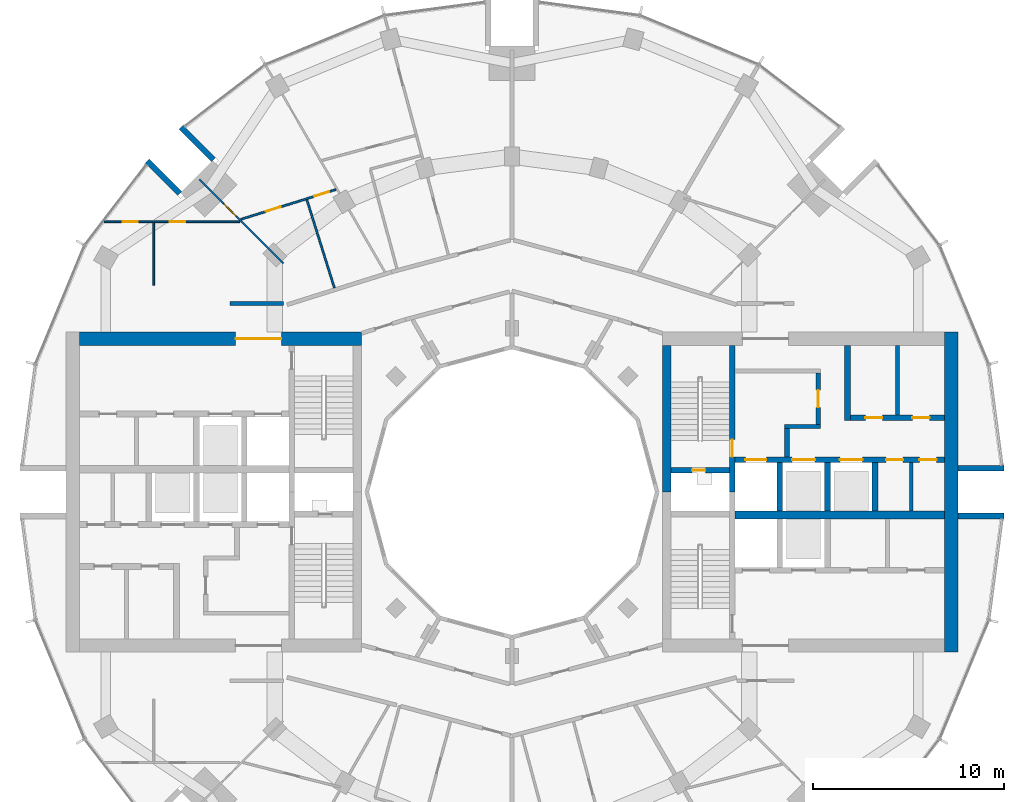
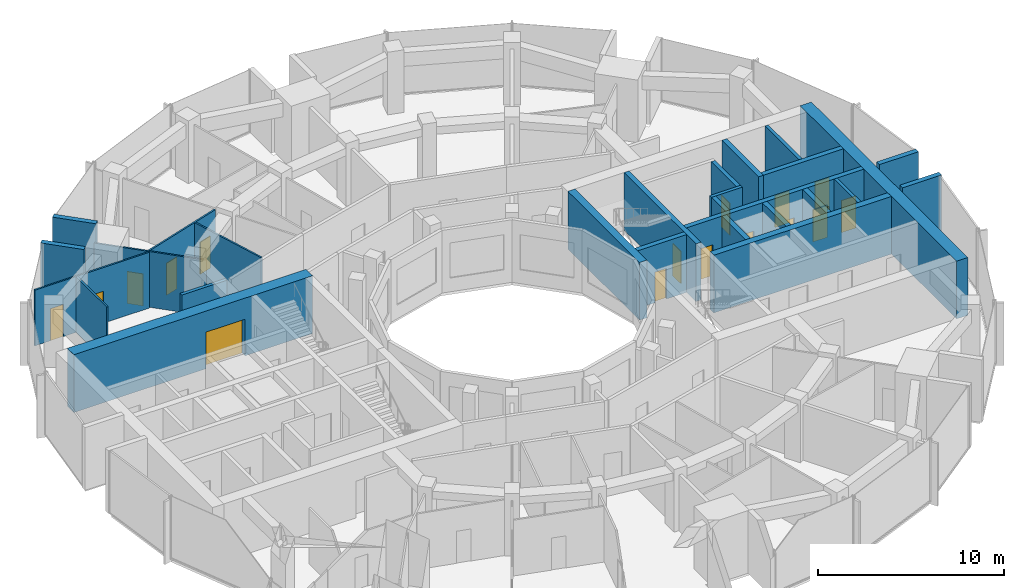
# One storey, part 11 of 15: 27 walls, 16 doors, 16 openings.
"""IFC4 building model written with IfcOpenShell, lengths in metres."""

from ifc_helpers import new_model, si_unit, direction, frame, frame_2d, origin, place, context, subcontext, project, spatial, rectangle, extrude, material, layer, layer_set, type_object, element, fill, save


model = new_model("IFC4")

# Units and contexts
model_context = context("Model", 3, precision=1e-05, world=origin(), true_north=direction((0.0, 1.0)))
body_context = subcontext(model_context, "Body", "Model", "MODEL_VIEW")
ifc_project = project(units=[si_unit("LENGTHUNIT", "METRE"), si_unit("AREAUNIT", "SQUARE_METRE"), si_unit("VOLUMEUNIT", "CUBIC_METRE"), si_unit("PLANEANGLEUNIT", "RADIAN"), si_unit("MASSUNIT", "GRAM", prefix="KILO")], contexts=[model_context])

# Site, building, storey
site_placement = place(None, origin())
site = spatial("IfcSite", under=ifc_project, at=site_placement, CompositionType="ELEMENT")
building_placement = place(site_placement, origin())
building = spatial("IfcBuilding", under=site, at=building_placement, Name="Torre Brocal", CompositionType="ELEMENT")
storey_placement = place(building_placement, frame((0.0, 0.0, 161.800048828125)))
storey = spatial("IfcBuildingStorey", under=building, at=storey_placement, Name="L37", CompositionType="ELEMENT", Elevation=161.800048828125)

# Walls
ifc_material_1 = material(Name="Masonry block", Category="masonry")
ifc_layer_1 = layer(ifc_material_1, 0.199951171875)
ifc_layer_set_1 = layer_set([ifc_layer_1], Name="Masonry block")
wall_type_1 = type_object("IfcWallType", Name="CORE PARTITION 200", PredefinedType="PARTITIONING", material=ifc_layer_set_1)
wall_1_placement = place(storey_placement, frame((100.949951171875, 74.0, 0.0), z_axis=(0.0, 0.0, 1.0), x_axis=(0.0, 1.0, 0.0)))
element("IfcWall", 1, at=wall_1_placement, inside=storey, type_object=wall_type_1, Name="Wall CP200", PredefinedType="PARTITIONING", context=body_context, shape_type="SweptSolid", body=[
    extrude(rectangle(XDim=2.550048828125, YDim=0.199951171875, at=frame_2d((1.27490234375, 0.0))), origin(), (0.0, 0.0, 1.0), 3.780029296875),
])
wall_2_placement = place(storey_placement, frame((100.22509765625, 79.050048828125, 0.0), z_axis=(0.0, 0.0, 1.0), x_axis=(0.0, 1.0, 0.0)))
element("IfcWall", 2, at=wall_2_placement, inside=storey, type_object=wall_type_1, Name="Wall CP200", PredefinedType="PARTITIONING", context=body_context, shape_type="SweptSolid", body=[
    extrude(rectangle(XDim=3.64990234375, YDim=0.199951171875, at=frame_2d((1.824951171875, 0.0))), origin(), (0.0, 0.0, 1.0), 3.780029296875),
])
ifc_material_2 = material(Name="Concrete C70", Category="concrete")
ifc_layer_2 = layer(ifc_material_2, 0.199951171875)
ifc_layer_set_2 = layer_set([ifc_layer_2], Name="Concrete C70")
wall_type_2 = type_object("IfcWallType", Name="CORE WALL 200 C70", PredefinedType="SHEAR", material=ifc_layer_set_2)
wall_3_placement = place(storey_placement, frame((94.300048828125, 78.449951171875, 0.0), z_axis=(0.0, 0.0, 1.0), x_axis=(1.0, 0.0, 0.0)))
element("IfcWall", 3, at=wall_3_placement, inside=storey, type_object=wall_type_2, Name="Wall CW200-70", PredefinedType="SHEAR", context=body_context, shape_type="SweptSolid", body=[
    extrude(rectangle(XDim=1.89990234375, YDim=0.199951171875, at=frame_2d((0.949951171875, 0.0))), origin(), (0.0, 0.0, 1.0), 3.780029296875),
])

# Wall, opening, door
ifc_material_3 = material(Name="Concrete C70", Category="concrete")
ifc_layer_3 = layer(ifc_material_3, 0.25)
ifc_layer_set_3 = layer_set([ifc_layer_3], Name="Concrete C70")
wall_type_3 = type_object("IfcWallType", Name="CORE WALL 250 C70", PredefinedType="SHEAR", material=ifc_layer_set_3)
wall_4_placement = place(storey_placement, frame((96.074951171875, 78.550048828125, 0.0), z_axis=(0.0, 0.0, 1.0), x_axis=(0.0, 1.0, 0.0)))
wall_4 = element("IfcWall", 4, at=wall_4_placement, inside=storey, type_object=wall_type_3, Name="Wall CW250-70", PredefinedType="SHEAR", context=body_context, shape_type="SweptSolid", body=[
    extrude(rectangle(XDim=2.699951171875, YDim=0.25, at=frame_2d((1.35009765625, 0.0))), origin(), (0.0, 0.0, 1.0), 3.780029296875),
])
opening_1_placement = place(wall_4_placement, frame((0.89990234375, 0.0, 0.0)))
opening_1 = element("IfcOpeningElement", 5, at=opening_1_placement, cuts=wall_4, Name="Opening E-D08", PredefinedType="OPENING", context=body_context, shape_type="SweptSolid", body=[
    extrude(rectangle(XDim=0.89990234375, YDim=2.10009765625, at=frame_2d((0.449951171875, 1.050048828125))), frame((0.0, 0.135009765625, 0.0), z_axis=(0.0, -1.0, 0.0), x_axis=(1.0, 0.0, 0.0)), (0.0, 0.0, 1.0), 0.27001953125),
])
ifc_material_4 = material(Name="Steel A653", Category="steel")
door_type_1 = type_object("IfcDoorType", Name="LOBBY DOOR FD120 900X2100", OperationType="SINGLE_SWING_RIGHT", PredefinedType="DOOR", material=ifc_material_4)
door_1_placement = place(opening_1_placement, origin())
door_1 = element("IfcDoor", 6, at=door_1_placement, inside=storey, type_object=door_type_1, Name="Door E-D08", OperationType="SINGLE_SWING_LEFT", OverallHeight=2.10009765625, OverallWidth=0.89990234375, PredefinedType="DOOR", context=body_context, shape_type="SweptSolid", body=[
    extrude(rectangle(XDim=0.89990234375, YDim=2.10009765625, at=frame_2d((0.449951171875, 1.050048828125))), frame((0.0, 0.02490234375, 0.0), z_axis=(0.0, -1.0, 0.0), x_axis=(1.0, 0.0, 0.0)), (0.0, 0.0, 1.0), 0.050048828125),
])
fill(opening_1, door_1)

# Wall
wall_5_placement = place(storey_placement, frame((94.425048828125, 76.85009765625, 0.0), z_axis=(0.0, 0.0, 1.0), x_axis=(0.0, 1.0, 0.0)))
element("IfcWall", 7, at=wall_5_placement, inside=storey, type_object=wall_type_3, Name="Wall CW250-70", PredefinedType="SHEAR", context=body_context, shape_type="SweptSolid", body=[
    extrude(rectangle(XDim=1.5, YDim=0.25, at=frame_2d((0.75, 0.0))), origin(), (0.0, 0.0, 1.0), 3.780029296875),
])

# Wall, opening, door
ifc_material_5 = material(Name="Concrete C70", Category="concrete")
ifc_layer_4 = layer(ifc_material_5, 0.300048828125)
ifc_layer_set_4 = layer_set([ifc_layer_4], Name="Concrete C70")
wall_type_4 = type_object("IfcWallType", Name="CORE WALL 300 C70", PredefinedType="SHEAR", material=ifc_layer_set_4)
wall_6_placement = place(storey_placement, frame((91.550048828125, 75.0, 0.0), z_axis=(0.0, 0.0, 1.0), x_axis=(0.0, 1.0, 0.0)))
wall_6 = element("IfcWall", 8, at=wall_6_placement, inside=storey, type_object=wall_type_4, Name="Wall CW300-70", PredefinedType="SHEAR", context=body_context, shape_type="SweptSolid", body=[
    extrude(rectangle(XDim=7.699951171875, YDim=0.300048828125, at=frame_2d((3.85009765625, 0.0))), origin(), (0.0, 0.0, 1.0), 3.780029296875),
])
opening_2_placement = place(wall_6_placement, frame((1.85009765625, 0.0, 0.0)))
opening_2 = element("IfcOpeningElement", 9, at=opening_2_placement, cuts=wall_6, Name="Opening E-D02", PredefinedType="OPENING", context=body_context, shape_type="SweptSolid", body=[
    extrude(rectangle(XDim=0.89990234375, YDim=2.10009765625, at=frame_2d((0.449951171875, 1.050048828125))), frame((0.0, 0.159912109375, 0.0), z_axis=(0.0, -1.0, 0.0), x_axis=(1.0, 0.0, 0.0)), (0.0, 0.0, 1.0), 0.320068359375),
])
ifc_material_6 = material(Name="Steel A653", Category="steel")
door_type_2 = type_object("IfcDoorType", Name="STAIR DOOR FD120 900X2100", OperationType="SINGLE_SWING_RIGHT", PredefinedType="DOOR", material=ifc_material_6)
door_2_placement = place(opening_2_placement, origin())
door_2 = element("IfcDoor", 10, at=door_2_placement, inside=storey, type_object=door_type_2, Name="Door E-D02", OperationType="SINGLE_SWING_LEFT", OverallHeight=2.10009765625, OverallWidth=0.89990234375, PredefinedType="DOOR", context=body_context, shape_type="SweptSolid", body=[
    extrude(rectangle(XDim=0.89990234375, YDim=2.10009765625, at=frame_2d((0.449951171875, 1.050048828125))), frame((0.0, 0.02490234375, 0.0), z_axis=(0.0, -1.0, 0.0), x_axis=(1.0, 0.0, 0.0)), (0.0, 0.0, 1.0), 0.050048828125),
])
fill(opening_2, door_2)

wall_7_placement = place(storey_placement, frame((88.35009765625, 76.14990234375, 0.0), z_axis=(0.0, 0.0, 1.0), x_axis=(1.0, 0.0, 0.0)))
wall_7 = element("IfcWall", 11, at=wall_7_placement, inside=storey, type_object=wall_type_4, Name="Wall CW300-70", PredefinedType="SHEAR", context=body_context, shape_type="SweptSolid", body=[
    extrude(rectangle(XDim=3.0498046875, YDim=0.300048828125, at=frame_2d((1.52490234375, 0.0))), origin(), (0.0, 0.0, 1.0), 3.780029296875),
])
opening_3_placement = place(wall_7_placement, frame((1.10009765625, 0.0, 0.0)))
opening_3 = element("IfcOpeningElement", 12, at=opening_3_placement, cuts=wall_7, Name="Opening E-D01", PredefinedType="OPENING", context=body_context, shape_type="SweptSolid", body=[
    extrude(rectangle(XDim=0.699951171875, YDim=2.0, at=frame_2d((0.35009765625, 1.0))), frame((0.0, 0.159912109375, 0.0), z_axis=(0.0, -1.0, 0.0), x_axis=(1.0, 0.0, 0.0)), (0.0, 0.0, 1.0), 0.320068359375),
])
ifc_material_7 = material(Name="Steel A653", Category="steel")
door_type_3 = type_object("IfcDoorType", Name="RISER DOOR FD120 700X2000", OperationType="SINGLE_SWING_LEFT", PredefinedType="DOOR", material=ifc_material_7)
door_3_placement = place(opening_3_placement, frame((0.699951171875, 0.0, 0.0), z_axis=(0.0, 0.0, 1.0), x_axis=(-1.0, 0.0, 0.0)))
door_3 = element("IfcDoor", 13, at=door_3_placement, inside=storey, type_object=door_type_3, Name="Door E-D01", OperationType="SINGLE_SWING_RIGHT", OverallHeight=2.0, OverallWidth=0.699951171875, PredefinedType="DOOR", context=body_context, shape_type="SweptSolid", body=[
    extrude(rectangle(XDim=0.699951171875, YDim=2.0, at=frame_2d((0.35009765625, 1.0))), frame((0.0, 0.02490234375, 0.0), z_axis=(0.0, -1.0, 0.0), x_axis=(1.0, 0.0, 0.0)), (0.0, 0.0, 1.0), 0.050048828125),
])
fill(opening_3, door_3)

# Wall, openings, doors
wall_8_placement = place(storey_placement, frame((91.699951171875, 76.699951171875, 0.0), z_axis=(0.0, 0.0, 1.0), x_axis=(1.0, 0.0, 0.0)))
wall_8 = element("IfcWall", 14, at=wall_8_placement, inside=storey, type_object=wall_type_4, Name="Wall CW300-70", PredefinedType="SHEAR", context=body_context, shape_type="SweptSolid", body=[
    extrude(rectangle(XDim=11.0, YDim=0.300048828125, at=frame_2d((5.5, 0.0))), origin(), (0.0, 0.0, 1.0), 3.780029296875),
])
opening_4_placement = place(wall_8_placement, frame((0.550048828125, 0.0, 0.0)))
opening_4 = element("IfcOpeningElement", 15, at=opening_4_placement, cuts=wall_8, Name="Opening LD", PredefinedType="OPENING", context=body_context, shape_type="SweptSolid", body=[
    extrude(rectangle(XDim=1.10009765625, YDim=2.10009765625, at=frame_2d((0.550048828125, 1.050048828125))), frame((0.0, 0.159912109375, 0.0), z_axis=(0.0, -1.0, 0.0), x_axis=(1.0, 0.0, 0.0)), (0.0, 0.0, 1.0), 0.320068359375),
])
opening_5_placement = place(wall_8_placement, frame((3.0, 0.0, 0.0)))
opening_5 = element("IfcOpeningElement", 16, at=opening_5_placement, cuts=wall_8, Name="Opening LD12", PredefinedType="OPENING", context=body_context, shape_type="SweptSolid", body=[
    extrude(rectangle(XDim=1.199951171875, YDim=2.10009765625, at=frame_2d((0.60009765625, 1.050048828125))), frame((0.0, 0.159912109375, 0.0), z_axis=(0.0, -1.0, 0.0), x_axis=(1.0, 0.0, 0.0)), (0.0, 0.0, 1.0), 0.320068359375),
])
opening_6_placement = place(wall_8_placement, frame((5.5, 0.0, 0.0)))
opening_6 = element("IfcOpeningElement", 17, at=opening_6_placement, cuts=wall_8, Name="Opening LD12", PredefinedType="OPENING", context=body_context, shape_type="SweptSolid", body=[
    extrude(rectangle(XDim=1.199951171875, YDim=2.10009765625, at=frame_2d((0.60009765625, 1.050048828125))), frame((0.0, 0.159912109375, 0.0), z_axis=(0.0, -1.0, 0.0), x_axis=(1.0, 0.0, 0.0)), (0.0, 0.0, 1.0), 0.320068359375),
])
opening_7_placement = place(wall_8_placement, frame((7.925048828125, 0.0, 0.0)))
opening_7 = element("IfcOpeningElement", 18, at=opening_7_placement, cuts=wall_8, Name="Opening E-D04", PredefinedType="OPENING", context=body_context, shape_type="SweptSolid", body=[
    extrude(rectangle(XDim=0.89990234375, YDim=2.10009765625, at=frame_2d((0.449951171875, 1.050048828125))), frame((0.0, 0.159912109375, 0.0), z_axis=(0.0, -1.0, 0.0), x_axis=(1.0, 0.0, 0.0)), (0.0, 0.0, 1.0), 0.320068359375),
])
opening_8_placement = place(wall_8_placement, frame((9.675048828125, 0.0, 0.0)))
opening_8 = element("IfcOpeningElement", 19, at=opening_8_placement, cuts=wall_8, Name="Opening E-D05", PredefinedType="OPENING", context=body_context, shape_type="SweptSolid", body=[
    extrude(rectangle(XDim=0.89990234375, YDim=2.10009765625, at=frame_2d((0.449951171875, 1.050048828125))), frame((0.0, 0.159912109375, 0.0), z_axis=(0.0, -1.0, 0.0), x_axis=(1.0, 0.0, 0.0)), (0.0, 0.0, 1.0), 0.320068359375),
])
ifc_material_8 = material(Name="Stainless steel AISI 316", Category="steel")
door_type_4 = type_object("IfcDoorType", Name="LIFT LANDING DOOR 1100X2100", OperationType="DOUBLE_DOOR_SLIDING", PredefinedType="DOOR", material=ifc_material_8)
door_4_placement = place(opening_4_placement, origin())
door_4 = element("IfcDoor", 20, at=door_4_placement, inside=storey, type_object=door_type_4, Name="Door LD", OperationType="DOUBLE_DOOR_SLIDING", OverallHeight=2.10009765625, OverallWidth=1.10009765625, PredefinedType="DOOR", context=body_context, shape_type="SweptSolid", body=[
    extrude(rectangle(XDim=1.10009765625, YDim=2.10009765625, at=frame_2d((0.550048828125, 1.050048828125))), frame((0.0, 0.02490234375, 0.0), z_axis=(0.0, -1.0, 0.0), x_axis=(1.0, 0.0, 0.0)), (0.0, 0.0, 1.0), 0.050048828125),
])
fill(opening_4, door_4)
ifc_material_9 = material(Name="Stainless steel AISI 316", Category="steel")
door_type_5 = type_object("IfcDoorType", Name="LIFT LANDING DOOR 1200X2100", OperationType="DOUBLE_DOOR_SLIDING", PredefinedType="DOOR", material=ifc_material_9)
door_5_placement = place(opening_5_placement, origin())
door_5 = element("IfcDoor", 21, at=door_5_placement, inside=storey, type_object=door_type_5, Name="Door LD12", OperationType="DOUBLE_DOOR_SLIDING", OverallHeight=2.10009765625, OverallWidth=1.199951171875, PredefinedType="DOOR", context=body_context, shape_type="SweptSolid", body=[
    extrude(rectangle(XDim=1.199951171875, YDim=2.10009765625, at=frame_2d((0.60009765625, 1.050048828125))), frame((0.0, 0.02490234375, 0.0), z_axis=(0.0, -1.0, 0.0), x_axis=(1.0, 0.0, 0.0)), (0.0, 0.0, 1.0), 0.050048828125),
])
fill(opening_5, door_5)
door_6_placement = place(opening_6_placement, origin())
door_6 = element("IfcDoor", 22, at=door_6_placement, inside=storey, type_object=door_type_5, Name="Door LD12", OperationType="DOUBLE_DOOR_SLIDING", OverallHeight=2.10009765625, OverallWidth=1.199951171875, PredefinedType="DOOR", context=body_context, shape_type="SweptSolid", body=[
    extrude(rectangle(XDim=1.199951171875, YDim=2.10009765625, at=frame_2d((0.60009765625, 1.050048828125))), frame((0.0, 0.02490234375, 0.0), z_axis=(0.0, -1.0, 0.0), x_axis=(1.0, 0.0, 0.0)), (0.0, 0.0, 1.0), 0.050048828125),
])
fill(opening_6, door_6)
ifc_material_10 = material(Name="Steel A653", Category="steel")
door_type_6 = type_object("IfcDoorType", Name="ROOM DOOR FD30S 900X2100", OperationType="SINGLE_SWING_LEFT", PredefinedType="DOOR", material=ifc_material_10)
door_7_placement = place(opening_7_placement, frame((0.89990234375, 0.0, 0.0), z_axis=(0.0, 0.0, 1.0), x_axis=(-1.0, 0.0, 0.0)))
door_7 = element("IfcDoor", 23, at=door_7_placement, inside=storey, type_object=door_type_6, Name="Door E-D04", OperationType="SINGLE_SWING_LEFT", OverallHeight=2.10009765625, OverallWidth=0.89990234375, PredefinedType="DOOR", context=body_context, shape_type="SweptSolid", body=[
    extrude(rectangle(XDim=0.89990234375, YDim=2.10009765625, at=frame_2d((0.449951171875, 1.050048828125))), frame((0.0, 0.02490234375, 0.0), z_axis=(0.0, -1.0, 0.0), x_axis=(1.0, 0.0, 0.0)), (0.0, 0.0, 1.0), 0.050048828125),
])
fill(opening_7, door_7)
door_8_placement = place(opening_8_placement, frame((0.89990234375, 0.0, 0.0), z_axis=(0.0, 0.0, 1.0), x_axis=(-1.0, 0.0, 0.0)))
door_8 = element("IfcDoor", 24, at=door_8_placement, inside=storey, type_object=door_type_6, Name="Door E-D05", OperationType="SINGLE_SWING_RIGHT", OverallHeight=2.10009765625, OverallWidth=0.89990234375, PredefinedType="DOOR", context=body_context, shape_type="SweptSolid", body=[
    extrude(rectangle(XDim=0.89990234375, YDim=2.10009765625, at=frame_2d((0.449951171875, 1.050048828125))), frame((0.0, 0.02490234375, 0.0), z_axis=(0.0, -1.0, 0.0), x_axis=(1.0, 0.0, 0.0)), (0.0, 0.0, 1.0), 0.050048828125),
])
fill(opening_8, door_8)

# Walls
for number, where, z_axis, x_axis, name in (
    (25, (94.050048828125, 74.0, 0.0), (0.0, 0.0, 1.0), (0.0, 1.0, 0.0), "Wall CW300-70"),
    (26, (96.550048828125, 74.0, 0.0), (0.0, 0.0, 1.0), (0.0, 1.0, 0.0), "Wall CW300-70"),
    (27, (99.050048828125, 74.0, 0.0), (0.0, 0.0, 1.0), (0.0, 1.0, 0.0), "Wall CW300-70"),
):
    element("IfcWall", number, at=place(storey_placement, frame(where, z_axis=z_axis, x_axis=x_axis)), inside=storey, type_object=wall_type_4, Name=name, PredefinedType="SHEAR", context=body_context, shape_type="SweptSolid", body=[
        extrude(rectangle(XDim=2.550048828125, YDim=0.300048828125, at=frame_2d((1.27490234375, 0.0))), origin(), (0.0, 0.0, 1.0), 3.780029296875),
    ])
wall_9_placement = place(storey_placement, frame((97.60009765625, 78.75, 0.0), z_axis=(0.0, 0.0, 1.0), x_axis=(0.0, 1.0, 0.0)))
element("IfcWall", 28, at=wall_9_placement, inside=storey, type_object=wall_type_4, Name="Wall CW300-70", PredefinedType="SHEAR", context=body_context, shape_type="SweptSolid", body=[
    extrude(rectangle(XDim=3.949951171875, YDim=0.300048828125, at=frame_2d((1.97509765625, 0.0))), origin(), (0.0, 0.0, 1.0), 3.780029296875),
])

# Wall, openings, doors
wall_10_placement = place(storey_placement, frame((97.75, 78.89990234375, 0.0), z_axis=(0.0, 0.0, 1.0), x_axis=(1.0, 0.0, 0.0)))
wall_10 = element("IfcWall", 29, at=wall_10_placement, inside=storey, type_object=wall_type_4, Name="Wall CW300-70", PredefinedType="SHEAR", context=body_context, shape_type="SweptSolid", body=[
    extrude(rectangle(XDim=4.949951171875, YDim=0.300048828125, at=frame_2d((2.47509765625, 0.0))), origin(), (0.0, 0.0, 1.0), 3.780029296875),
])
opening_9_placement = place(wall_10_placement, frame((0.78759765625, 0.0, 0.0)))
opening_9 = element("IfcOpeningElement", 30, at=opening_9_placement, cuts=wall_10, Name="Opening E-D09", PredefinedType="OPENING", context=body_context, shape_type="SweptSolid", body=[
    extrude(rectangle(XDim=0.89990234375, YDim=2.10009765625, at=frame_2d((0.449951171875, 1.050048828125))), frame((0.0, 0.159912109375, 0.0), z_axis=(0.0, -1.0, 0.0), x_axis=(1.0, 0.0, 0.0)), (0.0, 0.0, 1.0), 0.320068359375),
])
opening_10_placement = place(wall_10_placement, frame((3.262451171875, 0.0, 0.0)))
opening_10 = element("IfcOpeningElement", 31, at=opening_10_placement, cuts=wall_10, Name="Opening E-D10", PredefinedType="OPENING", context=body_context, shape_type="SweptSolid", body=[
    extrude(rectangle(XDim=0.89990234375, YDim=2.10009765625, at=frame_2d((0.449951171875, 1.050048828125))), frame((0.0, 0.159912109375, 0.0), z_axis=(0.0, -1.0, 0.0), x_axis=(1.0, 0.0, 0.0)), (0.0, 0.0, 1.0), 0.320068359375),
])
door_9_placement = place(opening_9_placement, origin())
door_9 = element("IfcDoor", 32, at=door_9_placement, inside=storey, type_object=door_type_6, Name="Door E-D09", OperationType="SINGLE_SWING_RIGHT", OverallHeight=2.10009765625, OverallWidth=0.89990234375, PredefinedType="DOOR", context=body_context, shape_type="SweptSolid", body=[
    extrude(rectangle(XDim=0.89990234375, YDim=2.10009765625, at=frame_2d((0.449951171875, 1.050048828125))), frame((0.0, 0.02490234375, 0.0), z_axis=(0.0, -1.0, 0.0), x_axis=(1.0, 0.0, 0.0)), (0.0, 0.0, 1.0), 0.050048828125),
])
fill(opening_9, door_9)
door_10_placement = place(opening_10_placement, origin())
door_10 = element("IfcDoor", 33, at=door_10_placement, inside=storey, type_object=door_type_6, Name="Door E-D10", OperationType="SINGLE_SWING_LEFT", OverallHeight=2.10009765625, OverallWidth=0.89990234375, PredefinedType="DOOR", context=body_context, shape_type="SweptSolid", body=[
    extrude(rectangle(XDim=0.89990234375, YDim=2.10009765625, at=frame_2d((0.449951171875, 1.050048828125))), frame((0.0, 0.02490234375, 0.0), z_axis=(0.0, -1.0, 0.0), x_axis=(1.0, 0.0, 0.0)), (0.0, 0.0, 1.0), 0.050048828125),
])
fill(opening_10, door_10)

# Walls
ifc_material_11 = material(Name="Concrete C70", Category="concrete")
ifc_layer_5 = layer(ifc_material_11, 0.39990234375)
ifc_layer_set_5 = layer_set([ifc_layer_5], Name="Concrete C70")
wall_type_5 = type_object("IfcWallType", Name="CORE WALL 400 C70", PredefinedType="SHEAR", material=ifc_layer_set_5)
wall_11_placement = place(storey_placement, frame((91.699951171875, 73.800048828125, 0.0), z_axis=(0.0, 0.0, 1.0), x_axis=(1.0, 0.0, 0.0)))
element("IfcWall", 34, at=wall_11_placement, inside=storey, type_object=wall_type_5, Name="Wall CW400-70", PredefinedType="SHEAR", context=body_context, shape_type="SweptSolid", body=[
    extrude(rectangle(XDim=11.0, YDim=0.39990234375, at=frame_2d((5.5, 0.0))), origin(), (0.0, 0.0, 1.0), 3.780029296875),
])
ifc_material_12 = material(Name="Concrete C70", Category="concrete")
ifc_layer_6 = layer(ifc_material_12, 0.449951171875)
ifc_layer_set_6 = layer_set([ifc_layer_6], Name="Concrete C70")
wall_type_6 = type_object("IfcWallType", Name="CORE WALL 450 C70", PredefinedType="SHEAR", material=ifc_layer_set_6)
wall_12_placement = place(storey_placement, frame((88.125, 75.0, 0.0), z_axis=(0.0, 0.0, 1.0), x_axis=(0.0, 1.0, 0.0)))
element("IfcWall", 35, at=wall_12_placement, inside=storey, type_object=wall_type_6, Name="Wall CW450-70", PredefinedType="SHEAR", context=body_context, shape_type="SweptSolid", body=[
    extrude(rectangle(XDim=7.699951171875, YDim=0.449951171875, at=frame_2d((3.85009765625, 0.0))), origin(), (0.0, 0.0, 1.0), 3.780029296875),
])
ifc_material_13 = material(Name="Concrete C70", Category="concrete")
ifc_layer_7 = layer(ifc_material_13, 0.699951171875)
ifc_layer_set_7 = layer_set([ifc_layer_7], Name="Concrete C70")
wall_type_7 = type_object("IfcWallType", Name="CORE WALL 700 C70", PredefinedType="SHEAR", material=ifc_layer_set_7)
wall_13_placement = place(storey_placement, frame((103.050048828125, 66.60009765625, 0.0), z_axis=(0.0, 0.0, 1.0), x_axis=(0.0, 1.0, 0.0)))
element("IfcWall", 36, at=wall_13_placement, inside=storey, type_object=wall_type_7, Name="Wall CW700-70", PredefinedType="SHEAR", context=body_context, shape_type="SweptSolid", body=[
    extrude(rectangle(XDim=16.7998046875, YDim=0.699951171875, at=frame_2d((8.39990234375, 0.0))), origin(), (0.0, 0.0, 1.0), 3.780029296875),
])

# Wall, opening, door
wall_14_placement = place(storey_placement, frame((72.10009765625, 83.050048828125, 0.0), z_axis=(0.0, 0.0, 1.0), x_axis=(-1.0, 0.0, 0.0)))
wall_14 = element("IfcWall", 37, at=wall_14_placement, inside=storey, type_object=wall_type_7, Name="Wall CW700-70", PredefinedType="SHEAR", context=body_context, shape_type="SweptSolid", body=[
    extrude(rectangle(XDim=14.800048828125, YDim=0.699951171875, at=frame_2d((7.39990234375, 0.0))), origin(), (0.0, 0.0, 1.0), 3.780029296875),
])
opening_11_placement = place(wall_14_placement, frame((4.199951171875, 0.0, 0.0)))
opening_11 = element("IfcOpeningElement", 38, at=opening_11_placement, cuts=wall_14, Name="Opening W-D12", PredefinedType="OPENING", context=body_context, shape_type="SweptSolid", body=[
    extrude(rectangle(XDim=2.39990234375, YDim=2.39990234375, at=frame_2d((1.199951171875, 1.199951171875))), frame((0.0, 0.35986328125, 0.0), z_axis=(0.0, -1.0, 0.0), x_axis=(1.0, 0.0, 0.0)), (0.0, 0.0, 1.0), 0.719970703125),
])
ifc_material_14 = material(Name="Steel A653", Category="steel")
door_type_7 = type_object("IfcDoorType", Name="DOUBLE FIRE DOOR FD90 2400X2400", OperationType="DOUBLE_DOOR_SINGLE_SWING", PredefinedType="DOOR", material=ifc_material_14)
door_11_placement = place(opening_11_placement, origin())
door_11 = element("IfcDoor", 39, at=door_11_placement, inside=storey, type_object=door_type_7, Name="Door W-D12", OperationType="DOUBLE_DOOR_SINGLE_SWING", OverallHeight=2.39990234375, OverallWidth=2.39990234375, PredefinedType="DOOR", context=body_context, shape_type="SweptSolid", body=[
    extrude(rectangle(XDim=2.39990234375, YDim=2.39990234375, at=frame_2d((1.199951171875, 1.199951171875))), frame((0.0, 0.02490234375, 0.0), z_axis=(0.0, -1.0, 0.0), x_axis=(1.0, 0.0, 0.0)), (0.0, 0.0, 1.0), 0.050048828125),
])
fill(opening_11, door_11)

# Walls
ifc_material_15 = material(Name="Concrete C70", Category="concrete")
ifc_layer_8 = layer(ifc_material_15, 0.300048828125)
ifc_layer_set_8 = layer_set([ifc_layer_8], Name="Concrete C70")
wall_type_8 = type_object("IfcWallType", Name="NOTCH RETURN WALL 300 C70", PredefinedType="NOTDEFINED", material=ifc_layer_set_8)
for number, where, z_axis, x_axis, name in (
    (40, (103.39990234375, 73.75, 0.0), (0.0, 0.0, 1.0), (1.0, 0.0, 0.0), "NOTCH RETURN WALL"),
    (41, (103.39990234375, 76.25, 0.0), (0.0, 0.0, 1.0), (1.0, 0.0, 0.0), "NOTCH RETURN WALL"),
    (42, (64.337646484375, 92.43017578125, 0.0), (0.0, 0.0, 1.0), (-0.707106781187, 0.707106781187, 0.0), "NOTCH RETURN WALL"),
    (43, (62.56982421875, 90.662353515625, 0.0), (0.0, 0.0, 1.0), (-0.707106781187, 0.707106781187, 0.0), "NOTCH RETURN WALL"),
):
    element("IfcWall", number, at=place(storey_placement, frame(where, z_axis=z_axis, x_axis=x_axis)), inside=storey, type_object=wall_type_8, Name=name, PredefinedType="NOTDEFINED", context=body_context, shape_type="SweptSolid", body=[
        extrude(rectangle(XDim=2.415771484375, YDim=0.300048828125, at=frame_2d((1.2080078125, 0.0))), origin(), (0.0, 0.0, 1.0), 4.099853515625),
    ])

# Wall, openings, doors
ifc_material_16 = material(Name="Gypsum board", Category="Gypsum")
ifc_layer_9 = layer(ifc_material_16, 0.10009765625)
ifc_layer_set_9 = layer_set([ifc_layer_9], Name="Gypsum board")
wall_type_9 = type_object("IfcWallType", Name="PARTITION 100", PredefinedType="PARTITIONING", material=ifc_layer_set_9)
wall_15_placement = place(storey_placement, frame((58.60009765625, 89.18798828125, 0.0), z_axis=(0.0, 0.0, 1.0), x_axis=(1.0, 0.0, 0.0)))
wall_15 = element("IfcWall", 44, at=wall_15_placement, inside=storey, type_object=wall_type_9, Name="BATHROOM WALL", PredefinedType="PARTITIONING", context=body_context, shape_type="SweptSolid", body=[
    extrude(rectangle(XDim=7.101806640625, YDim=0.10009765625, at=frame_2d((3.55078125, 0.0))), origin(), (0.0, 0.0, 1.0), 3.64990234375),
])
opening_12_placement = place(wall_15_placement, frame((3.446533203125, 0.0, 0.0)))
opening_12 = element("IfcOpeningElement", 45, at=opening_12_placement, cuts=wall_15, Name="Opening R01-D13", PredefinedType="OPENING", context=body_context, shape_type="SweptSolid", body=[
    extrude(rectangle(XDim=0.800048828125, YDim=2.10009765625, at=frame_2d((0.39990234375, 1.050048828125))), frame((0.0, 0.06005859375, 0.0), z_axis=(0.0, -1.0, 0.0), x_axis=(1.0, 0.0, 0.0)), (0.0, 0.0, 1.0), 0.1201171875),
])
opening_13_placement = place(wall_15_placement, frame((0.965087890625, 0.0, 0.0)))
opening_13 = element("IfcOpeningElement", 46, at=opening_13_placement, cuts=wall_15, Name="Opening R01-D14", PredefinedType="OPENING", context=body_context, shape_type="SweptSolid", body=[
    extrude(rectangle(XDim=0.800048828125, YDim=2.10009765625, at=frame_2d((0.39990234375, 1.050048828125))), frame((0.0, 0.06005859375, 0.0), z_axis=(0.0, -1.0, 0.0), x_axis=(1.0, 0.0, 0.0)), (0.0, 0.0, 1.0), 0.1201171875),
])
ifc_material_17 = material(Name="Timber", Category="wood")
door_type_8 = type_object("IfcDoorType", Name="BATHROOM DOOR 800X2100", OperationType="SINGLE_SWING_LEFT", PredefinedType="DOOR", material=ifc_material_17)
door_12_placement = place(opening_12_placement, frame((0.800048828125, 0.0, 0.0), z_axis=(0.0, 0.0, 1.0), x_axis=(-1.0, 0.0, 0.0)))
door_12 = element("IfcDoor", 47, at=door_12_placement, inside=storey, type_object=door_type_8, Name="R01-D13", OperationType="SINGLE_SWING_RIGHT", OverallHeight=2.10009765625, OverallWidth=0.800048828125, PredefinedType="DOOR", context=body_context, shape_type="SweptSolid", body=[
    extrude(rectangle(XDim=0.800048828125, YDim=2.10009765625, at=frame_2d((0.39990234375, 1.050048828125))), frame((0.0, 0.02490234375, 0.0), z_axis=(0.0, -1.0, 0.0), x_axis=(1.0, 0.0, 0.0)), (0.0, 0.0, 1.0), 0.050048828125),
])
fill(opening_12, door_12)
door_13_placement = place(opening_13_placement, origin())
door_13 = element("IfcDoor", 48, at=door_13_placement, inside=storey, type_object=door_type_8, Name="R01-D14", OperationType="SINGLE_SWING_LEFT", OverallHeight=2.10009765625, OverallWidth=0.800048828125, PredefinedType="DOOR", context=body_context, shape_type="SweptSolid", body=[
    extrude(rectangle(XDim=0.800048828125, YDim=2.10009765625, at=frame_2d((0.39990234375, 1.050048828125))), frame((0.0, 0.02490234375, 0.0), z_axis=(0.0, -1.0, 0.0), x_axis=(1.0, 0.0, 0.0)), (0.0, 0.0, 1.0), 0.050048828125),
])
fill(opening_13, door_13)

# Wall
wall_16_placement = place(storey_placement, frame((61.199951171875, 85.85498046875, 0.0), z_axis=(0.0, 0.0, 1.0), x_axis=(0.0, 1.0, 0.0)))
element("IfcWall", 49, at=wall_16_placement, inside=storey, type_object=wall_type_9, Name="BATHROOM WALL", PredefinedType="PARTITIONING", context=body_context, shape_type="SweptSolid", body=[
    extrude(rectangle(XDim=3.282958984375, YDim=0.10009765625, at=frame_2d((1.6416015625, 0.0))), origin(), (0.0, 0.0, 1.0), 3.64990234375),
])

# Wall, opening, door
wall_17_placement = place(storey_placement, frame((63.598388671875, 91.408203125, 0.0), z_axis=(0.0, 0.0, 1.0), x_axis=(0.70693039891, -0.707283119477, 0.0)))
wall_17 = element("IfcWall", 50, at=wall_17_placement, inside=storey, type_object=wall_type_9, Name="BATHROOM WALL", PredefinedType="PARTITIONING", context=body_context, shape_type="SweptSolid", body=[
    extrude(rectangle(XDim=6.2294921875, YDim=0.10009765625, at=frame_2d((3.11474609375, 0.0))), origin(), (0.0, 0.0, 1.0), 3.64990234375),
])
opening_14_placement = place(wall_17_placement, frame((1.819091796875, 0.0, 0.0)))
opening_14 = element("IfcOpeningElement", 51, at=opening_14_placement, cuts=wall_17, Name="Opening R01-D12", PredefinedType="OPENING", context=body_context, shape_type="SweptSolid", body=[
    extrude(rectangle(XDim=0.89990234375, YDim=2.10009765625, at=frame_2d((0.449951171875, 1.050048828125))), frame((0.0, 0.06005859375, 0.0), z_axis=(0.0, -1.0, 0.0), x_axis=(1.0, 0.0, 0.0)), (0.0, 0.0, 1.0), 0.1201171875),
])
ifc_material_18 = material(Name="Timber", Category="wood")
door_type_9 = type_object("IfcDoorType", Name="ROOM DOOR 900X2100", OperationType="SINGLE_SWING_LEFT", PredefinedType="DOOR", material=ifc_material_18)
door_14_placement = place(opening_14_placement, frame((0.89990234375, 0.0, 0.0), z_axis=(0.0, 0.0, 1.0), x_axis=(-1.0, 0.0, 0.0)))
door_14 = element("IfcDoor", 52, at=door_14_placement, inside=storey, type_object=door_type_9, Name="R01-D12", OperationType="SINGLE_SWING_RIGHT", OverallHeight=2.10009765625, OverallWidth=0.89990234375, PredefinedType="DOOR", context=body_context, shape_type="SweptSolid", body=[
    extrude(rectangle(XDim=0.89990234375, YDim=2.10009765625, at=frame_2d((0.449951171875, 1.050048828125))), frame((0.0, 0.02490234375, 0.0), z_axis=(0.0, -1.0, 0.0), x_axis=(1.0, 0.0, 0.0)), (0.0, 0.0, 1.0), 0.050048828125),
])
fill(opening_14, door_14)

# Wall, openings, doors
wall_18_placement = place(storey_placement, frame((65.78515625, 89.316162109375, 0.0), z_axis=(0.0, 0.0, 1.0), x_axis=(0.954187348418, 0.299209799504, 0.0)))
wall_18 = element("IfcWall", 53, at=wall_18_placement, inside=storey, type_object=wall_type_9, Name="BATHROOM WALL", PredefinedType="PARTITIONING", context=body_context, shape_type="SweptSolid", body=[
    extrude(rectangle(XDim=5.21875, YDim=0.10009765625, at=frame_2d((2.609375, 0.0))), origin(), (0.0, 0.0, 1.0), 3.64990234375),
])
opening_15_placement = place(wall_18_placement, frame((1.367431640625, 0.0, 0.0)))
opening_15 = element("IfcOpeningElement", 54, at=opening_15_placement, cuts=wall_18, Name="Opening R01-D10", PredefinedType="OPENING", context=body_context, shape_type="SweptSolid", body=[
    extrude(rectangle(XDim=0.800048828125, YDim=2.10009765625, at=frame_2d((0.39990234375, 1.050048828125))), frame((0.0, 0.06005859375, 0.0), z_axis=(0.0, -1.0, 0.0), x_axis=(1.0, 0.0, 0.0)), (0.0, 0.0, 1.0), 0.1201171875),
])
opening_16_placement = place(wall_18_placement, frame((4.02734375, 0.0, 0.0)))
opening_16 = element("IfcOpeningElement", 55, at=opening_16_placement, cuts=wall_18, Name="Opening R01-D11", PredefinedType="OPENING", context=body_context, shape_type="SweptSolid", body=[
    extrude(rectangle(XDim=0.800048828125, YDim=2.10009765625, at=frame_2d((0.39990234375, 1.050048828125))), frame((0.0, 0.06005859375, 0.0), z_axis=(0.0, -1.0, 0.0), x_axis=(1.0, 0.0, 0.0)), (0.0, 0.0, 1.0), 0.1201171875),
])
door_15_placement = place(opening_15_placement, frame((0.800048828125, 0.0, 0.0), z_axis=(0.0, 0.0, 1.0), x_axis=(-1.0, 0.0, 0.0)))
door_15 = element("IfcDoor", 56, at=door_15_placement, inside=storey, type_object=door_type_8, Name="R01-D10", OperationType="SINGLE_SWING_RIGHT", OverallHeight=2.10009765625, OverallWidth=0.800048828125, PredefinedType="DOOR", context=body_context, shape_type="SweptSolid", body=[
    extrude(rectangle(XDim=0.800048828125, YDim=2.10009765625, at=frame_2d((0.39990234375, 1.050048828125))), frame((0.0, 0.02490234375, 0.0), z_axis=(0.0, -1.0, 0.0), x_axis=(1.0, 0.0, 0.0)), (0.0, 0.0, 1.0), 0.050048828125),
])
fill(opening_15, door_15)
door_16_placement = place(opening_16_placement, frame((0.800048828125, 0.0, 0.0), z_axis=(0.0, 0.0, 1.0), x_axis=(-1.0, 0.0, 0.0)))
door_16 = element("IfcDoor", 57, at=door_16_placement, inside=storey, type_object=door_type_8, Name="R01-D11", OperationType="SINGLE_SWING_RIGHT", OverallHeight=2.10009765625, OverallWidth=0.800048828125, PredefinedType="DOOR", context=body_context, shape_type="SweptSolid", body=[
    extrude(rectangle(XDim=0.800048828125, YDim=2.10009765625, at=frame_2d((0.39990234375, 1.050048828125))), frame((0.0, 0.02490234375, 0.0), z_axis=(0.0, -1.0, 0.0), x_axis=(1.0, 0.0, 0.0)), (0.0, 0.0, 1.0), 0.050048828125),
])
fill(opening_16, door_16)

# Walls
wall_19_placement = place(storey_placement, frame((69.23095703125, 90.34423828125, 0.0), z_axis=(0.0, 0.0, 1.0), x_axis=(0.299203490128, -0.954189326861, 0.0)))
element("IfcWall", 58, at=wall_19_placement, inside=storey, type_object=wall_type_9, Name="BATHROOM WALL", PredefinedType="PARTITIONING", context=body_context, shape_type="SweptSolid", body=[
    extrude(rectangle(XDim=4.85009765625, YDim=0.10009765625, at=frame_2d((2.425048828125, 0.0))), origin(), (0.0, 0.0, 1.0), 3.64990234375),
])
ifc_material_19 = material(Name="Gypsum board", Category="Gypsum")
ifc_layer_10 = layer(ifc_material_19, 0.199951171875)
ifc_layer_set_10 = layer_set([ifc_layer_10], Name="Gypsum board")
wall_type_10 = type_object("IfcWallType", Name="PARTITION 200 EI60", PredefinedType="PARTITIONING", material=ifc_layer_set_10)
wall_20_placement = place(storey_placement, frame((65.199951171875, 84.89990234375, 0.0), z_axis=(0.0, 0.0, 1.0), x_axis=(1.0, 0.0, 0.0)))
element("IfcWall", 59, at=wall_20_placement, inside=storey, type_object=wall_type_10, Name="GUESTROOM CORRIDOR WALL", PredefinedType="PARTITIONING", context=body_context, shape_type="SweptSolid", body=[
    extrude(rectangle(XDim=2.800048828125, YDim=0.199951171875, at=frame_2d((1.39990234375, 0.0))), origin(), (0.0, 0.0, 1.0), 3.64990234375),
])

save(model, "model.ifc")
